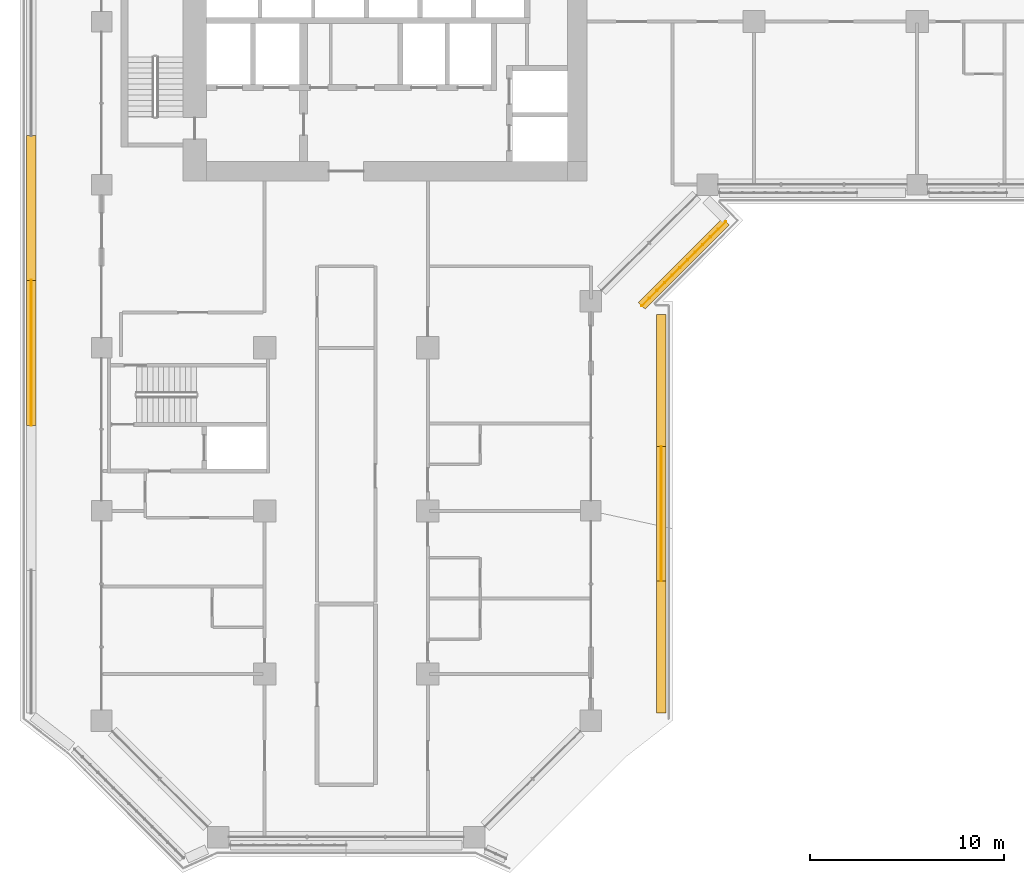
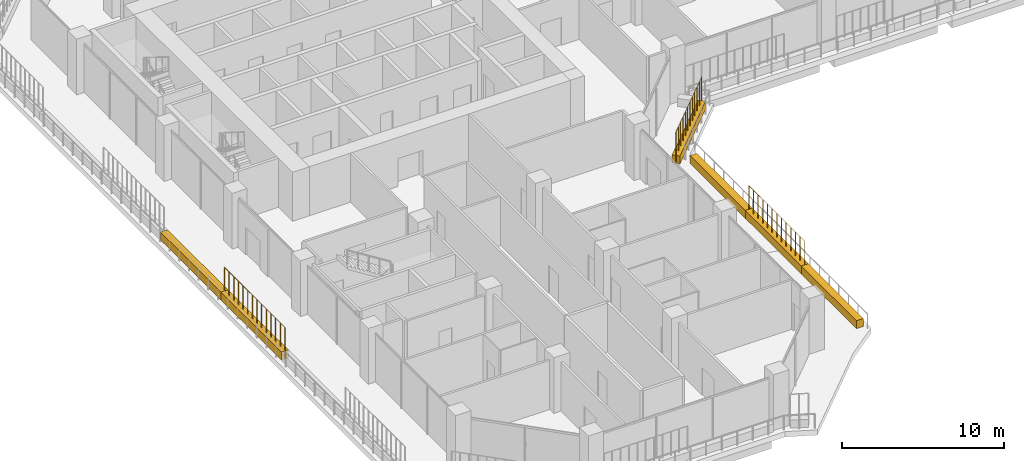
# One storey, part 19 of 23: 6 coverings, 3 railings.
"""IFC4 building model written with IfcOpenShell, lengths in metres."""

import ifcopenshell
import ifcopenshell.guid

model = None  # the IFC model being written
_history = None  # IfcOwnerHistory: only IFC2X3 demands one
_inside = {}  # id of a spatial element -> (the spatial element, [elements in it])
_under = {}  # id of a project, library or spatial element -> (it, [spatial elements below it])
_declared = {}  # id of a project -> (the project, [libraries it declares])
_typed = {}  # id of a type object -> (the type object, [elements of that type])
_made_of = {}  # id of a material, layer set ... -> (it, [elements and type objects made of it])


def new_model(schema):
    """Start an empty IFC model of exactly this schema.

    Asked for "IFC4X3", IfcOpenShell would pick the latest addendum, in which some entities
    have other attributes; the version numbers below select the first issue.
    IFC2X3 requires an IfcOwnerHistory on every rooted entity: one is made here for all.
    """
    global model, _history
    if schema == "IFC4X3":
        model = ifcopenshell.file(schema_version=(4, 3, 0, 0))
    else:
        model = ifcopenshell.file(schema=schema)
    _inside.clear()
    _under.clear()
    _declared.clear()
    _typed.clear()
    _made_of.clear()
    _history = None
    if model.schema == "IFC2X3":
        org = make("IfcOrganization", Name="unknown")
        user = make(
            "IfcPersonAndOrganization",
            ThePerson=make("IfcPerson", FamilyName="unknown"),
            TheOrganization=org,
        )
        app = make(
            "IfcApplication",
            ApplicationDeveloper=org,
            Version="unknown",
            ApplicationFullName="unknown",
            ApplicationIdentifier="unknown",
        )
        _history = make(
            "IfcOwnerHistory",
            OwningUser=user,
            OwningApplication=app,
            ChangeAction="ADDED",
            CreationDate=0,
        )
    return model


def make(cls, **values):
    """One entity of the class cls with the attributes given. An attribute that is None is left unset."""
    return model.create_entity(
        cls, **{name: value for name, value in values.items() if value is not None}
    )


def rooted(cls, **values):
    """An entity with a GlobalId (a new one), such as an element, a storey or a relation."""
    return make(cls, GlobalId=ifcopenshell.guid.new(), OwnerHistory=_history, **values)


def si_unit(unit_type, name, prefix=None):
    """IfcSIUnit, for example si_unit("LENGTHUNIT", "METRE", prefix="MILLI")."""
    return make("IfcSIUnit", UnitType=unit_type, Prefix=prefix, Name=name)


def assignment(units):
    """IfcUnitAssignment: the units of a project."""
    return None if units is None else make("IfcUnitAssignment", Units=units)


def point(xyz):
    """IfcCartesianPoint."""
    return None if xyz is None else make("IfcCartesianPoint", Coordinates=xyz)


def direction(xyz):
    """IfcDirection."""
    return None if xyz is None else make("IfcDirection", DirectionRatios=xyz)


def frame(location, z_axis=None, x_axis=None):
    """IfcAxis2Placement3D, a coordinate frame: its origin and axes. An axis left out is left unset."""
    return make(
        "IfcAxis2Placement3D",
        Location=point(location),
        Axis=direction(z_axis),
        RefDirection=direction(x_axis),
    )


def frame_2d(location, x_axis=None):
    """IfcAxis2Placement2D, a coordinate frame in the plane: its origin and x axis."""
    return make(
        "IfcAxis2Placement2D", Location=point(location), RefDirection=direction(x_axis)
    )


def origin():
    """The frame at (0, 0, 0) with its axes left unset."""
    return frame((0.0, 0.0, 0.0))


def origin_2d():
    """The frame at (0, 0) in the plane with its x axis left unset."""
    return frame_2d((0.0, 0.0))


def place(relative_to, where):
    """IfcLocalPlacement: puts the frame where relative to a parent placement (None: the world)."""
    return make(
        "IfcLocalPlacement", PlacementRelTo=relative_to, RelativePlacement=where
    )


def context(
    kind, dimensions, precision=None, world=None, true_north=None, identifier=None
):
    """IfcGeometricRepresentationContext, for example the 3D "Model" context."""
    return make(
        "IfcGeometricRepresentationContext",
        ContextIdentifier=identifier,
        ContextType=kind,
        CoordinateSpaceDimension=dimensions,
        Precision=precision,
        WorldCoordinateSystem=world,
        TrueNorth=true_north,
    )


def subcontext(parent, identifier, kind, view, scale=None):
    """IfcGeometricRepresentationSubContext, for example "Body" below "Model"."""
    return make(
        "IfcGeometricRepresentationSubContext",
        ContextIdentifier=identifier,
        ContextType=kind,
        ParentContext=parent,
        TargetScale=scale,
        TargetView=view,
    )


def project(units=None, contexts=None):
    """IfcProject with its units and contexts."""
    return rooted(
        "IfcProject",
        Name="project",
        RepresentationContexts=contexts,
        UnitsInContext=assignment(units),
    )


def spatial(cls, under=None, at=None, **own):
    """A site, building, storey or space (cls), placed at a placement, below another one or the project."""
    s = rooted(cls, ObjectPlacement=at, **own)
    if under is not None:
        _under.setdefault(under.id(), (under, []))[1].append(s)
    return s


def profile(cls, at=None, kind="AREA", **sizes):
    """A parametric profile (cls). Its sizes go by their IFC names, for example OverallWidth=200.0."""
    return make(cls, ProfileType=kind, Position=at, **sizes)


def rectangle(**sizes):
    """IfcRectangleProfileDef."""
    return profile("IfcRectangleProfileDef", **sizes)


def circle(**sizes):
    """IfcCircleProfileDef."""
    return profile("IfcCircleProfileDef", **sizes)


def extrude(swept, where, along, depth):
    """IfcExtrudedAreaSolid: the profile swept, set in the frame where, extruded along a direction by depth."""
    return make(
        "IfcExtrudedAreaSolid",
        SweptArea=swept,
        Position=where,
        ExtrudedDirection=direction(along),
        Depth=depth,
    )


def shape(context_of_items, identifier, shape_type, items):
    """IfcShapeRepresentation: the items that make up one representation, for example the "Body"."""
    return make(
        "IfcShapeRepresentation",
        ContextOfItems=context_of_items,
        RepresentationIdentifier=identifier,
        RepresentationType=shape_type,
        Items=items,
    )


def material(Name=None, Category=None):
    """IfcMaterial."""
    return make("IfcMaterial", Name=Name, Category=Category)


def material_profile(
    of_material, cross_section, Name=None, Category=None, Priority=None
):
    """IfcMaterialProfile: a cross section and its material."""
    return make(
        "IfcMaterialProfile",
        Name=Name,
        Material=of_material,
        Profile=cross_section,
        Priority=Priority,
        Category=Category,
    )


def profile_set(profiles, Name=None, composite=None):
    """IfcMaterialProfileSet."""
    return make(
        "IfcMaterialProfileSet",
        Name=Name,
        MaterialProfiles=profiles,
        CompositeProfile=composite,
    )


def made_of(thing, what):
    """Note that an element or type object is made of a material, layer set ...; save() writes the relation."""
    if what is not None:
        _made_of.setdefault(what.id(), (what, []))[1].append(thing)
    return thing


def type_object(cls, material=None, **own):
    """A type object (cls), such as IfcWallType, which elements share."""
    return made_of(rooted(cls, **own), material)


def element(
    cls,
    number,
    at=None,
    inside=None,
    cuts=None,
    type_object=None,
    material=None,
    context=None,
    identifier="Body",
    shape_type=None,
    held_by="IfcProductDefinitionShape",
    body=None,
    shapes=None,
    **own,
):
    """One element of the class cls, such as IfcWall. Its Tag is "e" and its number.

    at: its placement. inside: the storey or other place that contains it. cuts: it is an
    opening in that element (IfcRelVoidsElement). A single representation is given by context,
    identifier, shape_type and body (its items); several are given by shapes. held_by: the class
    of the entity that holds the representations. save() writes the other relations.
    """
    e = rooted(cls, Tag="e%d" % number, ObjectPlacement=at, **own)
    if body is not None:
        shapes = [shape(context, identifier, shape_type, body)]
    if shapes is not None:
        e.Representation = make(held_by, Representations=shapes)
    if inside is not None:
        _inside.setdefault(inside.id(), (inside, []))[1].append(e)
    if cuts is not None:
        rooted(
            "IfcRelVoidsElement", RelatingBuildingElement=cuts, RelatedOpeningElement=e
        )
    if type_object is not None:
        _typed.setdefault(type_object.id(), (type_object, []))[1].append(e)
    return made_of(e, material)


def aggregate(whole, parts):
    """IfcRelAggregates: a whole, such as a stair, and the parts it consists of."""
    return rooted("IfcRelAggregates", RelatingObject=whole, RelatedObjects=parts)


def save(model, path):
    """Write the relations noted so far, then the file.

    IfcRelAggregates (storeys below a building ...), IfcRelContainedInSpatialStructure (elements
    in a storey), IfcRelDefinesByType, IfcRelAssociatesMaterial and IfcRelDeclares: one each for
    every whole, place, type object, material and project.
    """
    for whole, parts in _under.values():
        aggregate(whole, parts)
    for where, things in _inside.values():
        rooted(
            "IfcRelContainedInSpatialStructure",
            RelatedElements=things,
            RelatingStructure=where,
        )
    for kind, things in _typed.values():
        rooted("IfcRelDefinesByType", RelatedObjects=things, RelatingType=kind)
    for what, things in _made_of.values():
        rooted("IfcRelAssociatesMaterial", RelatedObjects=things, RelatingMaterial=what)
    for by, libraries in _declared.values():
        rooted("IfcRelDeclares", RelatingContext=by, RelatedDefinitions=libraries)
    model.write(path)


model = new_model("IFC4")

# Units and contexts
model_context = context("Model", 3, precision=1e-05, world=origin(), true_north=direction((0.0, 1.0)))
body_context = subcontext(model_context, "Body", "Model", "MODEL_VIEW")
ifc_project = project(units=[si_unit("LENGTHUNIT", "METRE"), si_unit("AREAUNIT", "SQUARE_METRE"), si_unit("VOLUMEUNIT", "CUBIC_METRE"), si_unit("PLANEANGLEUNIT", "RADIAN"), si_unit("MASSUNIT", "GRAM", prefix="KILO")], contexts=[model_context])

# Site, building, storey
site_placement = place(None, origin())
site = spatial("IfcSite", under=ifc_project, at=site_placement, CompositionType="ELEMENT")
building_placement = place(site_placement, origin())
building = spatial("IfcBuilding", under=site, at=building_placement, Name="Kawkab Arch Medical Tower", CompositionType="ELEMENT")
storey_placement = place(building_placement, frame((0.0, 0.0, 149.199951171875)))
storey = spatial("IfcBuildingStorey", under=building, at=storey_placement, Name="L34", CompositionType="ELEMENT", Elevation=149.199951171875)

# Coverings
ifc_material_1 = material(Name="Planting soil in a precast trough", Category="concrete")
ifc_material_profile = material_profile(ifc_material_1, rectangle(XDim=0.5, YDim=0.60009765625, at=origin_2d()), Name="Trough 500x600")
ifc_profile_set = profile_set([ifc_material_profile], Name="Planting soil in a precast trough")
covering_type = type_object("IfcCoveringType", Name="Planter trough 500 x 600", PredefinedType="USERDEFINED", material=ifc_profile_set)
covering_1_placement = place(storey_placement, frame((-3.6201171875, -37.593017578125, 0.300048828125), z_axis=(0.0, 1.0, 0.0), x_axis=(-1.0, 0.0, 0.0)))
element("IfcCovering", 1, at=covering_1_placement, inside=storey, type_object=covering_type, Name="Planter L34.LOG-01-01.9", ObjectType="PLANTER", PredefinedType="USERDEFINED", context=body_context, shape_type="SweptSolid", body=[
    extrude(rectangle(XDim=0.5, YDim=0.60009765625, at=origin_2d()), origin(), (0.0, 0.0, 1.0), 7.4619140625),
])
covering_2_placement = place(storey_placement, frame((-3.6201171875, -30.131103515625, 0.300048828125), z_axis=(0.0, 1.0, 0.0), x_axis=(-1.0, 0.0, 0.0)))
element("IfcCovering", 2, at=covering_2_placement, inside=storey, type_object=covering_type, Name="Planter L34.LOG-01-01.10", ObjectType="PLANTER", PredefinedType="USERDEFINED", context=body_context, shape_type="SweptSolid", body=[
    extrude(rectangle(XDim=0.5, YDim=0.60009765625, at=origin_2d()), origin(), (0.0, 0.0, 1.0), 7.462158203125),
])
covering_3_placement = place(storey_placement, frame((32.14697265625, -27.10888671875, 0.300048828125), z_axis=(-0.707007043994, -0.707206504313, 0.0), x_axis=(0.707206504313, -0.707007043994, 0.0)))
element("IfcCovering", 3, at=covering_3_placement, inside=storey, type_object=covering_type, Name="Planter L34.LOG-01-01.43", ObjectType="PLANTER", PredefinedType="USERDEFINED", context=body_context, shape_type="SweptSolid", body=[
    extrude(rectangle(XDim=0.5, YDim=0.60009765625, at=origin_2d()), origin(), (0.0, 0.0, 1.0), 6.1201171875),
])
covering_4_placement = place(storey_placement, frame((28.820068359375, -31.8798828125, 0.300048828125), z_axis=(0.0, -1.0, 0.0), x_axis=(1.0, 0.0, 0.0)))
element("IfcCovering", 4, at=covering_4_placement, inside=storey, type_object=covering_type, Name="Planter L34.LOG-01-01.44", ObjectType="PLANTER", PredefinedType="USERDEFINED", context=body_context, shape_type="SweptSolid", body=[
    extrude(rectangle(XDim=0.5, YDim=0.60009765625, at=origin_2d()), origin(), (0.0, 0.0, 1.0), 6.81201171875),
])
covering_5_placement = place(storey_placement, frame((28.820068359375, -38.69189453125, 0.300048828125), z_axis=(0.0, -1.0, 0.0), x_axis=(1.0, 0.0, 0.0)))
element("IfcCovering", 5, at=covering_5_placement, inside=storey, type_object=covering_type, Name="Planter L34.LOG-01-01.45", ObjectType="PLANTER", PredefinedType="USERDEFINED", context=body_context, shape_type="SweptSolid", body=[
    extrude(rectangle(XDim=0.5, YDim=0.60009765625, at=origin_2d()), origin(), (0.0, 0.0, 1.0), 6.912109375),
])
covering_6_placement = place(storey_placement, frame((28.820068359375, -45.60400390625, 0.300048828125), z_axis=(0.0, -1.0, 0.0), x_axis=(1.0, 0.0, 0.0)))
element("IfcCovering", 6, at=covering_6_placement, inside=storey, type_object=covering_type, Name="Planter L34.LOG-01-01.46", ObjectType="PLANTER", PredefinedType="USERDEFINED", context=body_context, shape_type="SweptSolid", body=[
    extrude(rectangle(XDim=0.5, YDim=0.60009765625, at=origin_2d()), origin(), (0.0, 0.0, 1.0), 6.81201171875),
])

# Railings
ifc_material_2 = material(Name="Bronze anodised aluminium trellis for climbing plants", Category="aluminium")
railing_type = type_object("IfcRailingType", Name="Planting trellis 2400", PredefinedType="USERDEFINED", material=ifc_material_2)
railing_1_placement = place(storey_placement, frame((-3.6201171875, -37.593017578125, 0.0)))
element("IfcRailing", 7, at=railing_1_placement, inside=storey, type_object=railing_type, Name="Planting trellis L34.LOG-01-01.9", ObjectType="TRELLIS", PredefinedType="USERDEFINED", context=body_context, shape_type="SweptSolid", body=[
    extrude(circle(Radius=0.01513671875, at=origin_2d()), frame((0.0, 0.0, 2.384765625), z_axis=(0.0, 1.0, 0.0), x_axis=(-1.0, 0.0, 0.0)), (0.0, 0.0, 1.0), 7.4619140625),
    extrude(circle(Radius=0.030029296875, at=origin_2d()), origin(), (0.0, 0.0, 1.0), 2.369873046875),
    extrude(circle(Radius=0.030029296875, at=origin_2d()), frame((0.0, 0.573974609375, 0.0)), (0.0, 0.0, 1.0), 2.369873046875),
    extrude(circle(Radius=0.030029296875, at=origin_2d()), frame((0.0, 1.14794921875, 0.0)), (0.0, 0.0, 1.0), 2.369873046875),
    extrude(circle(Radius=0.030029296875, at=origin_2d()), frame((0.0, 1.721923828125, 0.0)), (0.0, 0.0, 1.0), 2.369873046875),
    extrude(circle(Radius=0.030029296875, at=origin_2d()), frame((0.0, 2.2958984375, 0.0)), (0.0, 0.0, 1.0), 2.369873046875),
    extrude(circle(Radius=0.030029296875, at=origin_2d()), frame((0.0, 2.869873046875, 0.0)), (0.0, 0.0, 1.0), 2.369873046875),
    extrude(circle(Radius=0.030029296875, at=origin_2d()), frame((0.0, 3.44384765625, 0.0)), (0.0, 0.0, 1.0), 2.369873046875),
    extrude(circle(Radius=0.030029296875, at=origin_2d()), frame((0.0, 4.01806640625, 0.0)), (0.0, 0.0, 1.0), 2.369873046875),
    extrude(circle(Radius=0.030029296875, at=origin_2d()), frame((0.0, 4.592041015625, 0.0)), (0.0, 0.0, 1.0), 2.369873046875),
    extrude(circle(Radius=0.030029296875, at=origin_2d()), frame((0.0, 5.166015625, 0.0)), (0.0, 0.0, 1.0), 2.369873046875),
    extrude(circle(Radius=0.030029296875, at=origin_2d()), frame((0.0, 5.739990234375, 0.0)), (0.0, 0.0, 1.0), 2.369873046875),
    extrude(circle(Radius=0.030029296875, at=origin_2d()), frame((0.0, 6.31396484375, 0.0)), (0.0, 0.0, 1.0), 2.369873046875),
    extrude(circle(Radius=0.030029296875, at=origin_2d()), frame((0.0, 6.887939453125, 0.0)), (0.0, 0.0, 1.0), 2.369873046875),
    extrude(circle(Radius=0.030029296875, at=origin_2d()), frame((0.0, 7.4619140625, 0.0)), (0.0, 0.0, 1.0), 2.369873046875),
])
railing_2_placement = place(storey_placement, frame((32.14697265625, -27.10888671875, 0.0)))
element("IfcRailing", 8, at=railing_2_placement, inside=storey, type_object=railing_type, Name="Planting trellis L34.LOG-01-01.43", ObjectType="TRELLIS", PredefinedType="USERDEFINED", context=body_context, shape_type="SweptSolid", body=[
    extrude(circle(Radius=0.01513671875, at=origin_2d()), frame((0.0, 0.0, 2.384765625), z_axis=(-0.707007043994, -0.707206504313, 0.0), x_axis=(0.707206504313, -0.707007043994, 0.0)), (0.0, 0.0, 1.0), 6.1201171875),
    extrude(circle(Radius=0.030029296875, at=origin_2d()), origin(), (0.0, 0.0, 1.0), 2.369873046875),
    extrude(circle(Radius=0.030029296875, at=origin_2d()), frame((-0.393310546875, -0.3935546875, 0.0)), (0.0, 0.0, 1.0), 2.369873046875),
    extrude(circle(Radius=0.030029296875, at=origin_2d()), frame((-0.78662109375, -0.786865234375, 0.0)), (0.0, 0.0, 1.0), 2.369873046875),
    extrude(circle(Radius=0.030029296875, at=origin_2d()), frame((-1.18017578125, -1.180419921875, 0.0)), (0.0, 0.0, 1.0), 2.369873046875),
    extrude(circle(Radius=0.030029296875, at=origin_2d()), frame((-1.573486328125, -1.573974609375, 0.0)), (0.0, 0.0, 1.0), 2.369873046875),
    extrude(circle(Radius=0.030029296875, at=origin_2d()), frame((-1.966796875, -1.96728515625, 0.0)), (0.0, 0.0, 1.0), 2.369873046875),
    extrude(circle(Radius=0.030029296875, at=origin_2d()), frame((-2.360107421875, -2.36083984375, 0.0)), (0.0, 0.0, 1.0), 2.369873046875),
    extrude(circle(Radius=0.030029296875, at=origin_2d()), frame((-2.75341796875, -2.754150390625, 0.0)), (0.0, 0.0, 1.0), 2.369873046875),
    extrude(circle(Radius=0.030029296875, at=origin_2d()), frame((-3.146728515625, -3.147705078125, 0.0)), (0.0, 0.0, 1.0), 2.369873046875),
    extrude(circle(Radius=0.030029296875, at=origin_2d()), frame((-3.540283203125, -3.541259765625, 0.0)), (0.0, 0.0, 1.0), 2.369873046875),
    extrude(circle(Radius=0.030029296875, at=origin_2d()), frame((-3.93359375, -3.9345703125, 0.0)), (0.0, 0.0, 1.0), 2.369873046875),
    extrude(circle(Radius=0.030029296875, at=origin_2d()), frame((-4.326904296875, -4.328125, 0.0)), (0.0, 0.0, 1.0), 2.369873046875),
])
railing_3_placement = place(storey_placement, frame((28.820068359375, -38.69189453125, 0.0)))
element("IfcRailing", 9, at=railing_3_placement, inside=storey, type_object=railing_type, Name="Planting trellis L34.LOG-01-01.45", ObjectType="TRELLIS", PredefinedType="USERDEFINED", context=body_context, shape_type="SweptSolid", body=[
    extrude(circle(Radius=0.01513671875, at=origin_2d()), frame((0.0, 0.0, 2.384765625), z_axis=(0.0, -1.0, 0.0), x_axis=(1.0, 0.0, 0.0)), (0.0, 0.0, 1.0), 6.912109375),
    extrude(circle(Radius=0.030029296875, at=origin_2d()), origin(), (0.0, 0.0, 1.0), 2.369873046875),
    extrude(circle(Radius=0.030029296875, at=origin_2d()), frame((0.0, -0.575927734375, 0.0)), (0.0, 0.0, 1.0), 2.369873046875),
    extrude(circle(Radius=0.030029296875, at=origin_2d()), frame((0.0, -1.152099609375, 0.0)), (0.0, 0.0, 1.0), 2.369873046875),
    extrude(circle(Radius=0.030029296875, at=origin_2d()), frame((0.0, -1.72802734375, 0.0)), (0.0, 0.0, 1.0), 2.369873046875),
    extrude(circle(Radius=0.030029296875, at=origin_2d()), frame((0.0, -2.303955078125, 0.0)), (0.0, 0.0, 1.0), 2.369873046875),
    extrude(circle(Radius=0.030029296875, at=origin_2d()), frame((0.0, -2.880126953125, 0.0)), (0.0, 0.0, 1.0), 2.369873046875),
    extrude(circle(Radius=0.030029296875, at=origin_2d()), frame((0.0, -3.4560546875, 0.0)), (0.0, 0.0, 1.0), 2.369873046875),
    extrude(circle(Radius=0.030029296875, at=origin_2d()), frame((0.0, -4.031982421875, 0.0)), (0.0, 0.0, 1.0), 2.369873046875),
    extrude(circle(Radius=0.030029296875, at=origin_2d()), frame((0.0, -4.608154296875, 0.0)), (0.0, 0.0, 1.0), 2.369873046875),
    extrude(circle(Radius=0.030029296875, at=origin_2d()), frame((0.0, -5.18408203125, 0.0)), (0.0, 0.0, 1.0), 2.369873046875),
    extrude(circle(Radius=0.030029296875, at=origin_2d()), frame((0.0, -5.760009765625, 0.0)), (0.0, 0.0, 1.0), 2.369873046875),
    extrude(circle(Radius=0.030029296875, at=origin_2d()), frame((0.0, -6.336181640625, 0.0)), (0.0, 0.0, 1.0), 2.369873046875),
    extrude(circle(Radius=0.030029296875, at=origin_2d()), frame((0.0, -6.912109375, 0.0)), (0.0, 0.0, 1.0), 2.369873046875),
])

save(model, "model.ifc")
